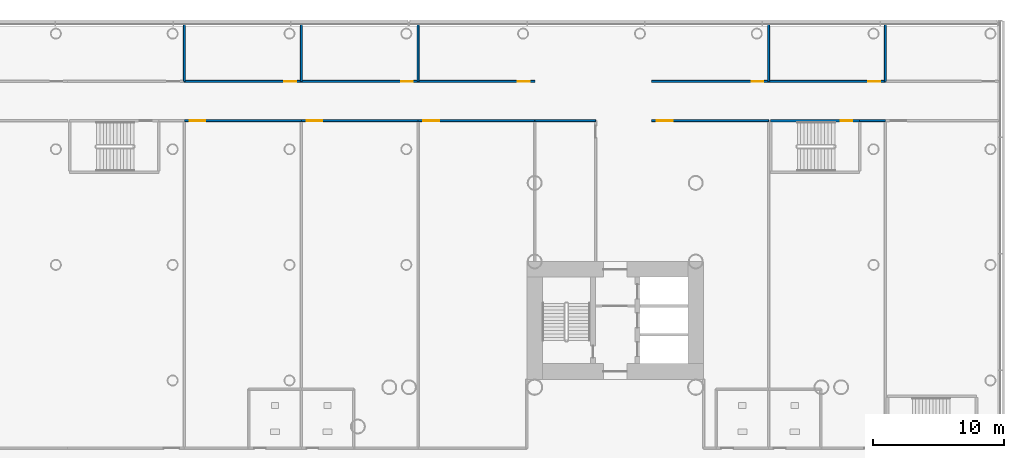
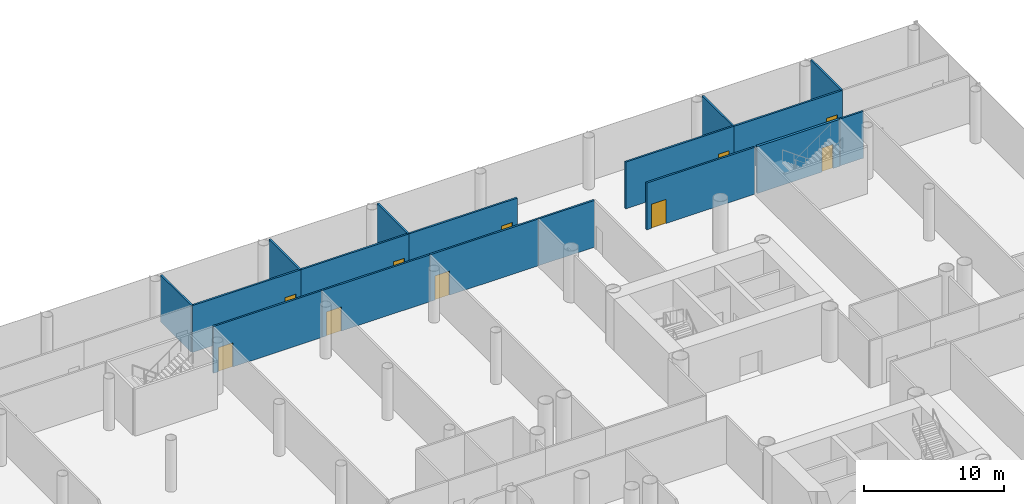
# One storey, part 24 of 49: 17 walls, 10 doors, 10 openings.
"""IFC4 building model written with IfcOpenShell, lengths in metres."""

from ifc_helpers import new_model, si_unit, direction, frame, frame_2d, origin, place, context, subcontext, project, spatial, rectangle, extrude, material, layer, layer_set, type_object, element, fill, save


model = new_model("IFC4")

# Units and contexts
model_context = context("Model", 3, precision=1e-05, world=origin(), true_north=direction((0.0, 1.0)))
body_context = subcontext(model_context, "Body", "Model", "MODEL_VIEW")
ifc_project = project(units=[si_unit("LENGTHUNIT", "METRE"), si_unit("AREAUNIT", "SQUARE_METRE"), si_unit("VOLUMEUNIT", "CUBIC_METRE"), si_unit("PLANEANGLEUNIT", "RADIAN"), si_unit("MASSUNIT", "GRAM", prefix="KILO")], contexts=[model_context])

# Site, building, storey
site_placement = place(None, origin())
site = spatial("IfcSite", under=ifc_project, at=site_placement, CompositionType="ELEMENT")
building_placement = place(site_placement, origin())
building = spatial("IfcBuilding", under=site, at=building_placement, Name="Ipe Terrace Towers", CompositionType="ELEMENT")
storey_placement = place(building_placement, frame((0.0, 0.0, 11.0)))
storey = spatial("IfcBuildingStorey", under=building, at=storey_placement, Name="L02", CompositionType="ELEMENT", Elevation=11.0)

# Wall
ifc_material_1 = material(Name="Gypsum board partition", Category="plasterboard")
ifc_layer_1 = layer(ifc_material_1, 0.14990234375)
ifc_layer_set_1 = layer_set([ifc_layer_1], Name="Gypsum board partition 150 mm")
wall_type_1 = type_object("IfcWallType", Name="Gypsum board partition 150 mm", PredefinedType="PARTITIONING", material=ifc_layer_set_1)
wall_1_placement = place(storey_placement, frame((3.110107421875, 33.85009765625, 0.0), z_axis=(0.0, 0.0, 1.0), x_axis=(0.0, -1.0, 0.0)))
element("IfcWall", 1, at=wall_1_placement, inside=storey, type_object=wall_type_1, Name="Gypsum board partition T2 L02 pd-r29-r35-w3", PredefinedType="PARTITIONING", context=body_context, shape_type="SweptSolid", body=[
    extrude(rectangle(XDim=4.35009765625, YDim=0.14990234375, at=frame_2d((2.175048828125, 0.0))), origin(), (0.0, 0.0, 1.0), 4.080078125),
])

# Wall, opening, door
wall_2_placement = place(storey_placement, frame((3.110107421875, 26.5, 0.0), z_axis=(0.0, 0.0, 1.0), x_axis=(1.0, 0.0, 0.0)))
wall_2 = element("IfcWall", 2, at=wall_2_placement, inside=storey, type_object=wall_type_1, Name="Gypsum board partition T2 L02 pd-r32-w11", PredefinedType="PARTITIONING", context=body_context, shape_type="SweptSolid", body=[
    extrude(rectangle(XDim=8.919921875, YDim=0.14990234375, at=frame_2d((4.4599609375, 0.0))), origin(), (0.0, 0.0, 1.0), 4.080078125),
])
opening_1_placement = place(wall_2_placement, frame((0.39990234375, 0.0, 0.0)))
opening_1 = element("IfcOpeningElement", 3, at=opening_1_placement, cuts=wall_2, Name="Opening PD-L02-r32", PredefinedType="OPENING", context=body_context, shape_type="SweptSolid", body=[
    extrude(rectangle(XDim=1.199951171875, YDim=2.10009765625, at=frame_2d((0.60009765625, 1.050048828125))), frame((0.0, 0.0849609375, 0.0), z_axis=(0.0, -1.0, 0.0), x_axis=(1.0, 0.0, 0.0)), (0.0, 0.0, 1.0), 0.169921875),
])
ifc_material_2 = material(Name="Fire-rated timber door leaf", Category="wood")
door_type_1 = type_object("IfcDoorType", Name="Lounge door 1200 x 2100 FD30S", OperationType="NOTDEFINED", PredefinedType="DOOR", material=ifc_material_2)
door_1_placement = place(opening_1_placement, origin())
door_1 = element("IfcDoor", 4, at=door_1_placement, inside=storey, type_object=door_type_1, Name="Lounge door PD-L02-r32", OperationType="SINGLE_SWING_RIGHT", OverallHeight=2.10009765625, OverallWidth=1.199951171875, PredefinedType="DOOR", context=body_context, shape_type="SweptSolid", body=[
    extrude(rectangle(XDim=1.199951171875, YDim=2.10009765625, at=frame_2d((0.60009765625, 1.050048828125))), frame((0.0, 0.02490234375, 0.0), z_axis=(0.0, -1.0, 0.0), x_axis=(1.0, 0.0, 0.0)), (0.0, 0.0, 1.0), 0.050048828125),
])
fill(opening_1, door_1)

wall_3_placement = place(storey_placement, frame((12.030029296875, 29.5, 0.0), z_axis=(0.0, 0.0, 1.0), x_axis=(-1.0, 0.0, 0.0)))
wall_3 = element("IfcWall", 5, at=wall_3_placement, inside=storey, type_object=wall_type_1, Name="Gypsum board partition T2 L02 pd-r35-w18", PredefinedType="PARTITIONING", context=body_context, shape_type="SweptSolid", body=[
    extrude(rectangle(XDim=8.919921875, YDim=0.14990234375, at=frame_2d((4.4599609375, 0.0))), origin(), (0.0, 0.0, 1.0), 4.080078125),
])
opening_2_placement = place(wall_3_placement, frame((0.39990234375, 0.0, 0.0)))
opening_2 = element("IfcOpeningElement", 6, at=opening_2_placement, cuts=wall_3, Name="Opening PD-L02-r35", PredefinedType="OPENING", context=body_context, shape_type="SweptSolid", body=[
    extrude(rectangle(XDim=0.89990234375, YDim=2.10009765625, at=frame_2d((0.449951171875, 1.050048828125))), frame((0.0, 0.0849609375, 0.0), z_axis=(0.0, -1.0, 0.0), x_axis=(1.0, 0.0, 0.0)), (0.0, 0.0, 1.0), 0.169921875),
])
ifc_material_3 = material(Name="Fire-rated timber door leaf", Category="wood")
door_type_2 = type_object("IfcDoorType", Name="Lounge door 900 x 2100 FD30S", OperationType="NOTDEFINED", PredefinedType="DOOR", material=ifc_material_3)
door_2_placement = place(opening_2_placement, origin())
door_2 = element("IfcDoor", 7, at=door_2_placement, inside=storey, type_object=door_type_2, Name="Lounge door PD-L02-r35", OperationType="SINGLE_SWING_RIGHT", OverallHeight=2.10009765625, OverallWidth=0.89990234375, PredefinedType="DOOR", context=body_context, shape_type="SweptSolid", body=[
    extrude(rectangle(XDim=0.89990234375, YDim=2.10009765625, at=frame_2d((0.449951171875, 1.050048828125))), frame((0.0, 0.02490234375, 0.0), z_axis=(0.0, -1.0, 0.0), x_axis=(1.0, 0.0, 0.0)), (0.0, 0.0, 1.0), 0.050048828125),
])
fill(opening_2, door_2)

# Wall
wall_4_placement = place(storey_placement, frame((12.030029296875, 33.85009765625, 0.0), z_axis=(0.0, 0.0, 1.0), x_axis=(0.0, -1.0, 0.0)))
element("IfcWall", 8, at=wall_4_placement, inside=storey, type_object=wall_type_1, Name="Gypsum board partition T2 L02 pd-r35-r38-w19", PredefinedType="PARTITIONING", context=body_context, shape_type="SweptSolid", body=[
    extrude(rectangle(XDim=4.35009765625, YDim=0.14990234375, at=frame_2d((2.175048828125, 0.0))), origin(), (0.0, 0.0, 1.0), 4.080078125),
])

# Wall, opening, door
wall_5_placement = place(storey_placement, frame((20.949951171875, 29.5, 0.0), z_axis=(0.0, 0.0, 1.0), x_axis=(-1.0, 0.0, 0.0)))
wall_5 = element("IfcWall", 9, at=wall_5_placement, inside=storey, type_object=wall_type_1, Name="Gypsum board partition T2 L02 pd-r38-w25", PredefinedType="PARTITIONING", context=body_context, shape_type="SweptSolid", body=[
    extrude(rectangle(XDim=8.919921875, YDim=0.14990234375, at=frame_2d((4.4599609375, 0.0))), origin(), (0.0, 0.0, 1.0), 4.080078125),
])
opening_3_placement = place(wall_5_placement, frame((0.39990234375, 0.0, 0.0)))
opening_3 = element("IfcOpeningElement", 10, at=opening_3_placement, cuts=wall_5, Name="Opening PD-L02-r38", PredefinedType="OPENING", context=body_context, shape_type="SweptSolid", body=[
    extrude(rectangle(XDim=0.89990234375, YDim=2.10009765625, at=frame_2d((0.449951171875, 1.050048828125))), frame((0.0, 0.0849609375, 0.0), z_axis=(0.0, -1.0, 0.0), x_axis=(1.0, 0.0, 0.0)), (0.0, 0.0, 1.0), 0.169921875),
])
door_3_placement = place(opening_3_placement, origin())
door_3 = element("IfcDoor", 11, at=door_3_placement, inside=storey, type_object=door_type_2, Name="Lounge door PD-L02-r38", OperationType="SINGLE_SWING_RIGHT", OverallHeight=2.10009765625, OverallWidth=0.89990234375, PredefinedType="DOOR", context=body_context, shape_type="SweptSolid", body=[
    extrude(rectangle(XDim=0.89990234375, YDim=2.10009765625, at=frame_2d((0.449951171875, 1.050048828125))), frame((0.0, 0.02490234375, 0.0), z_axis=(0.0, -1.0, 0.0), x_axis=(1.0, 0.0, 0.0)), (0.0, 0.0, 1.0), 0.050048828125),
])
fill(opening_3, door_3)

# Wall
wall_6_placement = place(storey_placement, frame((20.949951171875, 33.85009765625, 0.0), z_axis=(0.0, 0.0, 1.0), x_axis=(0.0, -1.0, 0.0)))
element("IfcWall", 12, at=wall_6_placement, inside=storey, type_object=wall_type_1, Name="Gypsum board partition T2 L02 pd-r38-r43-w26", PredefinedType="PARTITIONING", context=body_context, shape_type="SweptSolid", body=[
    extrude(rectangle(XDim=4.35009765625, YDim=0.14990234375, at=frame_2d((2.175048828125, 0.0))), origin(), (0.0, 0.0, 1.0), 4.080078125),
])

# Wall, opening, door
wall_7_placement = place(storey_placement, frame((12.030029296875, 26.5, 0.0), z_axis=(0.0, 0.0, 1.0), x_axis=(1.0, 0.0, 0.0)))
wall_7 = element("IfcWall", 13, at=wall_7_placement, inside=storey, type_object=wall_type_1, Name="Gypsum board partition T2 L02 pd-r39-w27", PredefinedType="PARTITIONING", context=body_context, shape_type="SweptSolid", body=[
    extrude(rectangle(XDim=8.919921875, YDim=0.14990234375, at=frame_2d((4.4599609375, 0.0))), origin(), (0.0, 0.0, 1.0), 4.080078125),
])
opening_4_placement = place(wall_7_placement, frame((0.39990234375, 0.0, 0.0)))
opening_4 = element("IfcOpeningElement", 14, at=opening_4_placement, cuts=wall_7, Name="Opening PD-L02-r39", PredefinedType="OPENING", context=body_context, shape_type="SweptSolid", body=[
    extrude(rectangle(XDim=1.199951171875, YDim=2.10009765625, at=frame_2d((0.60009765625, 1.050048828125))), frame((0.0, 0.0849609375, 0.0), z_axis=(0.0, -1.0, 0.0), x_axis=(1.0, 0.0, 0.0)), (0.0, 0.0, 1.0), 0.169921875),
])
door_4_placement = place(opening_4_placement, origin())
door_4 = element("IfcDoor", 15, at=door_4_placement, inside=storey, type_object=door_type_1, Name="Lounge door PD-L02-r39", OperationType="SINGLE_SWING_RIGHT", OverallHeight=2.10009765625, OverallWidth=1.199951171875, PredefinedType="DOOR", context=body_context, shape_type="SweptSolid", body=[
    extrude(rectangle(XDim=1.199951171875, YDim=2.10009765625, at=frame_2d((0.60009765625, 1.050048828125))), frame((0.0, 0.02490234375, 0.0), z_axis=(0.0, -1.0, 0.0), x_axis=(1.0, 0.0, 0.0)), (0.0, 0.0, 1.0), 0.050048828125),
])
fill(opening_4, door_4)

wall_8_placement = place(storey_placement, frame((20.949951171875, 26.5, 0.0), z_axis=(0.0, 0.0, 1.0), x_axis=(1.0, 0.0, 0.0)))
wall_8 = element("IfcWall", 16, at=wall_8_placement, inside=storey, type_object=wall_type_1, Name="Gypsum board partition T2 L02 pd-r41-w34", PredefinedType="PARTITIONING", context=body_context, shape_type="SweptSolid", body=[
    extrude(rectangle(XDim=8.920166015625, YDim=0.14990234375, at=frame_2d((4.4599609375, 0.0))), origin(), (0.0, 0.0, 1.0), 4.080078125),
])
opening_5_placement = place(wall_8_placement, frame((0.39990234375, 0.0, 0.0)))
opening_5 = element("IfcOpeningElement", 17, at=opening_5_placement, cuts=wall_8, Name="Opening PD-L02-r41", PredefinedType="OPENING", context=body_context, shape_type="SweptSolid", body=[
    extrude(rectangle(XDim=1.199951171875, YDim=2.10009765625, at=frame_2d((0.60009765625, 1.050048828125))), frame((0.0, 0.0849609375, 0.0), z_axis=(0.0, -1.0, 0.0), x_axis=(1.0, 0.0, 0.0)), (0.0, 0.0, 1.0), 0.169921875),
])
door_5_placement = place(opening_5_placement, origin())
door_5 = element("IfcDoor", 18, at=door_5_placement, inside=storey, type_object=door_type_1, Name="Lounge door PD-L02-r41", OperationType="SINGLE_SWING_RIGHT", OverallHeight=2.10009765625, OverallWidth=1.199951171875, PredefinedType="DOOR", context=body_context, shape_type="SweptSolid", body=[
    extrude(rectangle(XDim=1.199951171875, YDim=2.10009765625, at=frame_2d((0.60009765625, 1.050048828125))), frame((0.0, 0.02490234375, 0.0), z_axis=(0.0, -1.0, 0.0), x_axis=(1.0, 0.0, 0.0)), (0.0, 0.0, 1.0), 0.050048828125),
])
fill(opening_5, door_5)

wall_9_placement = place(storey_placement, frame((29.8701171875, 29.5, 0.0), z_axis=(0.0, 0.0, 1.0), x_axis=(-1.0, 0.0, 0.0)))
wall_9 = element("IfcWall", 19, at=wall_9_placement, inside=storey, type_object=wall_type_1, Name="Gypsum board partition T2 L02 pd-r43-w40", PredefinedType="PARTITIONING", context=body_context, shape_type="SweptSolid", body=[
    extrude(rectangle(XDim=8.920166015625, YDim=0.14990234375, at=frame_2d((4.4599609375, 0.0))), origin(), (0.0, 0.0, 1.0), 4.080078125),
])
opening_6_placement = place(wall_9_placement, frame((0.39990234375, 0.0, 0.0)))
opening_6 = element("IfcOpeningElement", 20, at=opening_6_placement, cuts=wall_9, Name="Opening PD-L02-r43", PredefinedType="OPENING", context=body_context, shape_type="SweptSolid", body=[
    extrude(rectangle(XDim=0.89990234375, YDim=2.10009765625, at=frame_2d((0.449951171875, 1.050048828125))), frame((0.0, 0.0849609375, 0.0), z_axis=(0.0, -1.0, 0.0), x_axis=(1.0, 0.0, 0.0)), (0.0, 0.0, 1.0), 0.169921875),
])
door_6_placement = place(opening_6_placement, origin())
door_6 = element("IfcDoor", 21, at=door_6_placement, inside=storey, type_object=door_type_2, Name="Lounge door PD-L02-r43", OperationType="SINGLE_SWING_RIGHT", OverallHeight=2.10009765625, OverallWidth=0.89990234375, PredefinedType="DOOR", context=body_context, shape_type="SweptSolid", body=[
    extrude(rectangle(XDim=0.89990234375, YDim=2.10009765625, at=frame_2d((0.449951171875, 1.050048828125))), frame((0.0, 0.02490234375, 0.0), z_axis=(0.0, -1.0, 0.0), x_axis=(1.0, 0.0, 0.0)), (0.0, 0.0, 1.0), 0.050048828125),
])
fill(opening_6, door_6)

# Wall
wall_10_placement = place(storey_placement, frame((29.8701171875, 26.5, 0.0), z_axis=(0.0, 0.0, 1.0), x_axis=(1.0, 0.0, 0.0)))
element("IfcWall", 22, at=wall_10_placement, inside=storey, type_object=wall_type_1, Name="Gypsum board partition T2 L02 pd-r46-w46", PredefinedType="PARTITIONING", context=body_context, shape_type="SweptSolid", body=[
    extrude(rectangle(XDim=4.6298828125, YDim=0.14990234375, at=frame_2d((2.31494140625, 0.0))), origin(), (0.0, 0.0, 1.0), 4.080078125),
])

# Wall, opening, door
wall_11_placement = place(storey_placement, frame((47.7099609375, 29.5, 0.0), z_axis=(0.0, 0.0, 1.0), x_axis=(-1.0, 0.0, 0.0)))
wall_11 = element("IfcWall", 23, at=wall_11_placement, inside=storey, type_object=wall_type_1, Name="Gypsum board partition T2 L02 pd-r48-w49", PredefinedType="PARTITIONING", context=body_context, shape_type="SweptSolid", body=[
    extrude(rectangle(XDim=8.919921875, YDim=0.14990234375, at=frame_2d((4.4599609375, 0.0))), origin(), (0.0, 0.0, 1.0), 4.080078125),
])
opening_7_placement = place(wall_11_placement, frame((0.39990234375, 0.0, 0.0)))
opening_7 = element("IfcOpeningElement", 24, at=opening_7_placement, cuts=wall_11, Name="Opening PD-L02-r48", PredefinedType="OPENING", context=body_context, shape_type="SweptSolid", body=[
    extrude(rectangle(XDim=0.89990234375, YDim=2.10009765625, at=frame_2d((0.449951171875, 1.050048828125))), frame((0.0, 0.0849609375, 0.0), z_axis=(0.0, -1.0, 0.0), x_axis=(1.0, 0.0, 0.0)), (0.0, 0.0, 1.0), 0.169921875),
])
door_7_placement = place(opening_7_placement, origin())
door_7 = element("IfcDoor", 25, at=door_7_placement, inside=storey, type_object=door_type_2, Name="Lounge door PD-L02-r48", OperationType="SINGLE_SWING_RIGHT", OverallHeight=2.10009765625, OverallWidth=0.89990234375, PredefinedType="DOOR", context=body_context, shape_type="SweptSolid", body=[
    extrude(rectangle(XDim=0.89990234375, YDim=2.10009765625, at=frame_2d((0.449951171875, 1.050048828125))), frame((0.0, 0.02490234375, 0.0), z_axis=(0.0, -1.0, 0.0), x_axis=(1.0, 0.0, 0.0)), (0.0, 0.0, 1.0), 0.050048828125),
])
fill(opening_7, door_7)

# Wall
wall_12_placement = place(storey_placement, frame((47.7099609375, 33.85009765625, 0.0), z_axis=(0.0, 0.0, 1.0), x_axis=(0.0, -1.0, 0.0)))
element("IfcWall", 26, at=wall_12_placement, inside=storey, type_object=wall_type_1, Name="Gypsum board partition T2 L02 pd-r48-r52-w50", PredefinedType="PARTITIONING", context=body_context, shape_type="SweptSolid", body=[
    extrude(rectangle(XDim=4.35009765625, YDim=0.14990234375, at=frame_2d((2.175048828125, 0.0))), origin(), (0.0, 0.0, 1.0), 4.080078125),
])

# Wall, opening, door
wall_13_placement = place(storey_placement, frame((38.7900390625, 26.5, 0.0), z_axis=(0.0, 0.0, 1.0), x_axis=(1.0, 0.0, 0.0)))
wall_13 = element("IfcWall", 27, at=wall_13_placement, inside=storey, type_object=wall_type_1, Name="Gypsum board partition T2 L02 pd-r49-w53", PredefinedType="PARTITIONING", context=body_context, shape_type="SweptSolid", body=[
    extrude(rectangle(XDim=8.919921875, YDim=0.14990234375, at=frame_2d((4.4599609375, 0.0))), origin(), (0.0, 0.0, 1.0), 4.080078125),
])
opening_8_placement = place(wall_13_placement, frame((0.39990234375, 0.0, 0.0)))
opening_8 = element("IfcOpeningElement", 28, at=opening_8_placement, cuts=wall_13, Name="Opening PD-L02-r49", PredefinedType="OPENING", context=body_context, shape_type="SweptSolid", body=[
    extrude(rectangle(XDim=1.199951171875, YDim=2.10009765625, at=frame_2d((0.60009765625, 1.050048828125))), frame((0.0, 0.0849609375, 0.0), z_axis=(0.0, -1.0, 0.0), x_axis=(1.0, 0.0, 0.0)), (0.0, 0.0, 1.0), 0.169921875),
])
door_8_placement = place(opening_8_placement, origin())
door_8 = element("IfcDoor", 29, at=door_8_placement, inside=storey, type_object=door_type_1, Name="Lounge door PD-L02-r49", OperationType="SINGLE_SWING_RIGHT", OverallHeight=2.10009765625, OverallWidth=1.199951171875, PredefinedType="DOOR", context=body_context, shape_type="SweptSolid", body=[
    extrude(rectangle(XDim=1.199951171875, YDim=2.10009765625, at=frame_2d((0.60009765625, 1.050048828125))), frame((0.0, 0.02490234375, 0.0), z_axis=(0.0, -1.0, 0.0), x_axis=(1.0, 0.0, 0.0)), (0.0, 0.0, 1.0), 0.050048828125),
])
fill(opening_8, door_8)

wall_14_placement = place(storey_placement, frame((56.6298828125, 29.5, 0.0), z_axis=(0.0, 0.0, 1.0), x_axis=(-1.0, 0.0, 0.0)))
wall_14 = element("IfcWall", 30, at=wall_14_placement, inside=storey, type_object=wall_type_1, Name="Gypsum board partition T2 L02 pd-r52-w61", PredefinedType="PARTITIONING", context=body_context, shape_type="SweptSolid", body=[
    extrude(rectangle(XDim=8.919921875, YDim=0.14990234375, at=frame_2d((4.4599609375, 0.0))), origin(), (0.0, 0.0, 1.0), 4.080078125),
])
opening_9_placement = place(wall_14_placement, frame((0.39990234375, 0.0, 0.0)))
opening_9 = element("IfcOpeningElement", 31, at=opening_9_placement, cuts=wall_14, Name="Opening PD-L02-r52", PredefinedType="OPENING", context=body_context, shape_type="SweptSolid", body=[
    extrude(rectangle(XDim=0.89990234375, YDim=2.10009765625, at=frame_2d((0.449951171875, 1.050048828125))), frame((0.0, 0.0849609375, 0.0), z_axis=(0.0, -1.0, 0.0), x_axis=(1.0, 0.0, 0.0)), (0.0, 0.0, 1.0), 0.169921875),
])
door_9_placement = place(opening_9_placement, origin())
door_9 = element("IfcDoor", 32, at=door_9_placement, inside=storey, type_object=door_type_2, Name="Lounge door PD-L02-r52", OperationType="SINGLE_SWING_RIGHT", OverallHeight=2.10009765625, OverallWidth=0.89990234375, PredefinedType="DOOR", context=body_context, shape_type="SweptSolid", body=[
    extrude(rectangle(XDim=0.89990234375, YDim=2.10009765625, at=frame_2d((0.449951171875, 1.050048828125))), frame((0.0, 0.02490234375, 0.0), z_axis=(0.0, -1.0, 0.0), x_axis=(1.0, 0.0, 0.0)), (0.0, 0.0, 1.0), 0.050048828125),
])
fill(opening_9, door_9)

# Walls
wall_15_placement = place(storey_placement, frame((56.6298828125, 33.85009765625, 0.0), z_axis=(0.0, 0.0, 1.0), x_axis=(0.0, -1.0, 0.0)))
element("IfcWall", 33, at=wall_15_placement, inside=storey, type_object=wall_type_1, Name="Gypsum board partition T2 L02 pd-r52-r57-w62", PredefinedType="PARTITIONING", context=body_context, shape_type="SweptSolid", body=[
    extrude(rectangle(XDim=4.35009765625, YDim=0.14990234375, at=frame_2d((2.175048828125, 0.0))), origin(), (0.0, 0.0, 1.0), 4.080078125),
])
wall_16_placement = place(storey_placement, frame((54.669921875, 26.5, 0.0), z_axis=(0.0, 0.0, 1.0), x_axis=(1.0, 0.0, 0.0)))
element("IfcWall", 34, at=wall_16_placement, inside=storey, type_object=wall_type_1, Name="Gypsum board partition T2 L02 pd-r54-w66", PredefinedType="PARTITIONING", context=body_context, shape_type="SweptSolid", body=[
    extrude(rectangle(XDim=1.9599609375, YDim=0.14990234375, at=frame_2d((0.97998046875, 0.0))), origin(), (0.0, 0.0, 1.0), 4.080078125),
])

# Wall, opening, door
ifc_material_4 = material(Name="Concrete C40/50", Category="concrete")
ifc_layer_2 = layer(ifc_material_4, 0.199951171875)
ifc_layer_set_2 = layer_set([ifc_layer_2], Name="RW200 PODIUM STAIR SHAFT WALL 200 C40-50")
wall_type_2 = type_object("IfcWallType", Name="RW200 PODIUM STAIR SHAFT WALL 200 C40-50", PredefinedType="SHEAR", material=ifc_layer_set_2)
wall_17_placement = place(storey_placement, frame((47.8701171875, 26.5, 0.0), z_axis=(0.0, 0.0, 1.0), x_axis=(1.0, 0.0, 0.0)))
wall_17 = element("IfcWall", 35, at=wall_17_placement, inside=storey, type_object=wall_type_2, Name="Stair shaft wall T2 L02 ps3-c", PredefinedType="SHEAR", context=body_context, shape_type="SweptSolid", body=[
    extrude(rectangle(XDim=6.7998046875, YDim=0.199951171875, at=frame_2d((3.39990234375, 0.0))), origin(), (0.0, 0.0, 1.0), 4.080078125),
])
opening_10_placement = place(wall_17_placement, frame((5.35009765625, 0.0, 0.0)))
opening_10 = element("IfcOpeningElement", 36, at=opening_10_placement, cuts=wall_17, Name="Opening PS3-SD", PredefinedType="OPENING", context=body_context, shape_type="SweptSolid", body=[
    extrude(rectangle(XDim=0.89990234375, YDim=2.10009765625, at=frame_2d((0.449951171875, 1.050048828125))), frame((0.0, 0.10986328125, 0.0), z_axis=(0.0, -1.0, 0.0), x_axis=(1.0, 0.0, 0.0)), (0.0, 0.0, 1.0), 0.219970703125),
])
ifc_material_5 = material(Name="Fire-rated timber door leaf", Category="wood")
door_type_3 = type_object("IfcDoorType", Name="Stair door 900 x 2100 FD60", OperationType="NOTDEFINED", PredefinedType="DOOR", material=ifc_material_5)
door_10_placement = place(opening_10_placement, origin())
door_10 = element("IfcDoor", 37, at=door_10_placement, inside=storey, type_object=door_type_3, Name="Stair door PS3-SD", OperationType="SINGLE_SWING_LEFT", OverallHeight=2.10009765625, OverallWidth=0.89990234375, PredefinedType="DOOR", context=body_context, shape_type="SweptSolid", body=[
    extrude(rectangle(XDim=0.89990234375, YDim=2.10009765625, at=frame_2d((0.449951171875, 1.050048828125))), frame((0.0, 0.02490234375, 0.0), z_axis=(0.0, -1.0, 0.0), x_axis=(1.0, 0.0, 0.0)), (0.0, 0.0, 1.0), 0.050048828125),
])
fill(opening_10, door_10)

save(model, "model.ifc")
